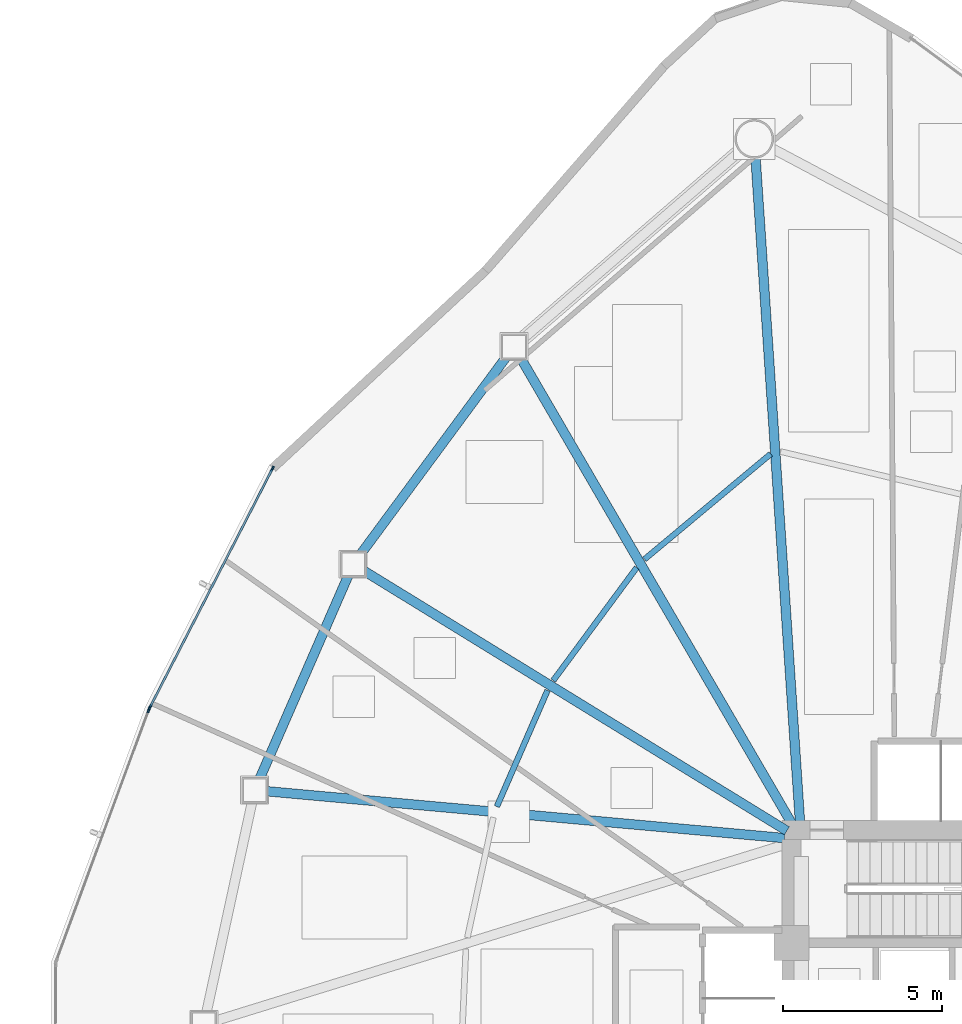
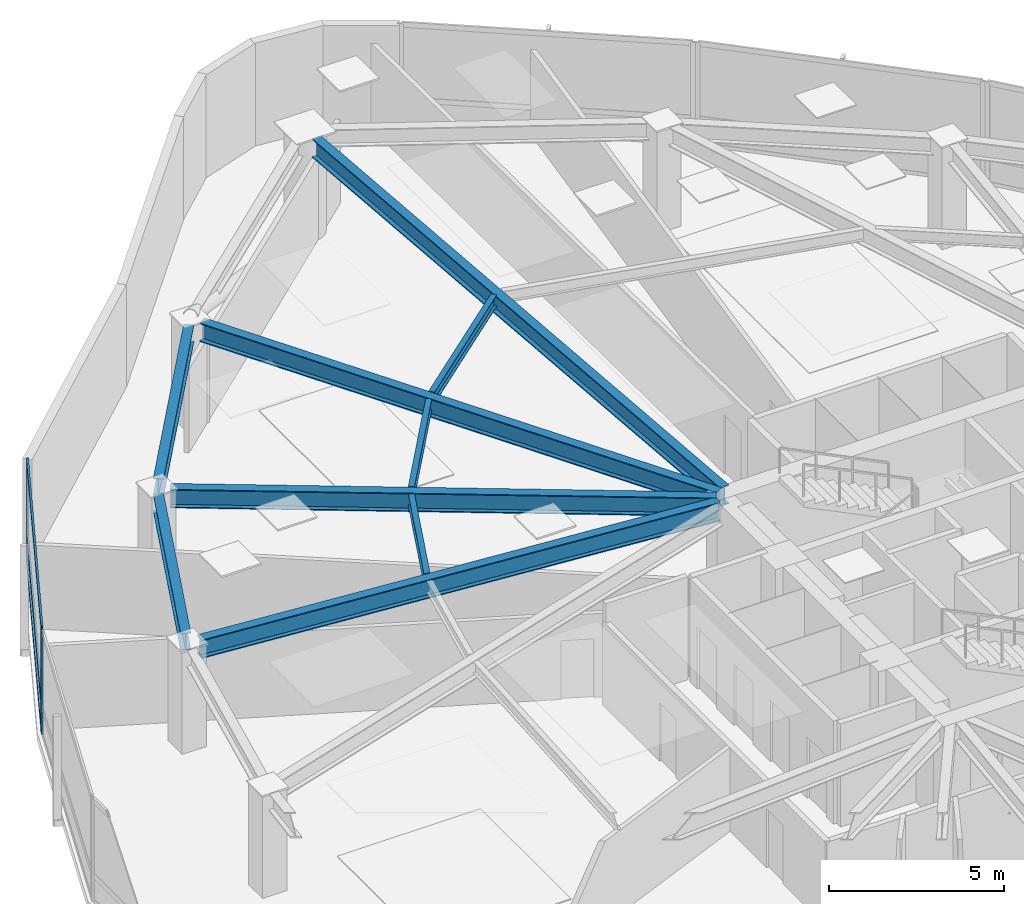
# One storey, part 8 of 18: 9 beams, 6 members, 2 elements without a shape of their own.
"""IFC4 building model written with IfcOpenShell, lengths in metres."""

from ifc_helpers import new_model, si_unit, direction, frame, origin, origin_2d, place, context, subcontext, project, spatial, hollow_rectangle, i_section, extrude, source, transform, mapped, material, layer, layer_set, material_profile, profile_set, type_object, type_shapes, element, aggregate, save


model = new_model("IFC4")

# Units and contexts
model_context = context("Model", 3, precision=1e-05, world=origin(), true_north=direction((0.0, 1.0)))
body_context = subcontext(model_context, "Body", "Model", "MODEL_VIEW")
ifc_project = project(units=[si_unit("LENGTHUNIT", "METRE"), si_unit("AREAUNIT", "SQUARE_METRE"), si_unit("VOLUMEUNIT", "CUBIC_METRE"), si_unit("PLANEANGLEUNIT", "RADIAN"), si_unit("MASSUNIT", "GRAM", prefix="KILO")], contexts=[model_context])

# Site, building, storey
site_placement = place(None, origin())
site = spatial("IfcSite", under=ifc_project, at=site_placement, CompositionType="ELEMENT")
building_placement = place(site_placement, origin())
building = spatial("IfcBuilding", under=site, at=building_placement, Name="Tavelor Broadcast Tower", CompositionType="ELEMENT")
storey_placement = place(building_placement, frame((0.0, 0.0, 51.0)))
storey = spatial("IfcBuildingStorey", under=building, at=storey_placement, Name="L11", CompositionType="ELEMENT", Elevation=51.0)

# Beams
ifc_material_1 = material(Name="Steel S355", Category="steel")
ifc_material_profile_1 = material_profile(ifc_material_1, i_section(OverallWidth=0.179931640625, OverallDepth=0.39990234375, WebThickness=0.008544921875, FlangeThickness=0.013427734375, at=origin_2d()), Name="IPE 400")
ifc_profile_set_1 = profile_set([ifc_material_profile_1], Name="Steel S355")
beam_type_1 = type_object("IfcBeamType", Name="Composite Floor Joist T1 IPE 400", PredefinedType="JOIST", material=ifc_profile_set_1)
beam_1_placement = place(storey_placement, frame((42.4404296875, 63.345947265625, 3.39990234375), z_axis=(-0.767560074089, -0.640977014146, 0.0), x_axis=(0.640977014146, -0.767560074089, 0.0)))
element("IfcBeam", 1, at=beam_1_placement, inside=storey, type_object=beam_type_1, Name="L11 Secondary Composite Floor Joist 01", PredefinedType="JOIST", context=body_context, shape_type="SweptSolid", body=[
    extrude(i_section(OverallWidth=0.179931640625, OverallDepth=0.39990234375, WebThickness=0.008544921875, FlangeThickness=0.013427734375, at=origin_2d()), origin(), (0.0, 0.0, 1.0), 5.178466796875),
])
beam_2_placement = place(storey_placement, frame((38.218994140625, 59.764892578125, 3.39990234375), z_axis=(-0.594310286319, -0.804235838281, 0.0), x_axis=(0.804235838281, -0.594310286319, 0.0)))
element("IfcBeam", 2, at=beam_2_placement, inside=storey, type_object=beam_type_1, Name="L11 Secondary Composite Floor Joist 02", PredefinedType="JOIST", context=body_context, shape_type="SweptSolid", body=[
    extrude(i_section(OverallWidth=0.179931640625, OverallDepth=0.39990234375, WebThickness=0.008544921875, FlangeThickness=0.013427734375, at=origin_2d()), origin(), (0.0, 0.0, 1.0), 4.41943359375),
])
beam_3_placement = place(storey_placement, frame((35.41259765625, 55.899169921875, 3.39990234375), z_axis=(-0.399676346619, -0.916656324886, 0.0), x_axis=(0.916656324886, -0.399676346619, 0.0)))
element("IfcBeam", 3, at=beam_3_placement, inside=storey, type_object=beam_type_1, Name="L11 Secondary Composite Floor Joist 03", PredefinedType="JOIST", context=body_context, shape_type="SweptSolid", body=[
    extrude(i_section(OverallWidth=0.179931640625, OverallDepth=0.39990234375, WebThickness=0.008544921875, FlangeThickness=0.013427734375, at=origin_2d()), origin(), (0.0, 0.0, 1.0), 3.991943359375),
])
ifc_material_profile_2 = material_profile(ifc_material_1, i_section(OverallWidth=0.300048828125, OverallDepth=0.60009765625, WebThickness=0.015380859375, FlangeThickness=0.030029296875, at=origin_2d()), Name="HEB 600")
ifc_profile_set_2 = profile_set([ifc_material_profile_2], Name="Steel S355")
beam_type_2 = type_object("IfcBeamType", Name="Perimeter Spandrel Beam T1 HEB 600", PredefinedType="SPANDREL", material=ifc_profile_set_2)
beam_4_placement = place(storey_placement, frame((34.1279296875, 66.4189453125, 3.300048828125), z_axis=(-0.59410601814, -0.804386747286, 0.0), x_axis=(0.804386747286, -0.59410601814, 0.0)))
element("IfcBeam", 4, at=beam_4_placement, inside=storey, type_object=beam_type_2, Name="L11 Framed-Tube Ring Spandrel 02", PredefinedType="SPANDREL", context=body_context, shape_type="SweptSolid", body=[
    extrude(i_section(OverallWidth=0.300048828125, OverallDepth=0.60009765625, WebThickness=0.015380859375, FlangeThickness=0.030029296875, at=origin_2d()), origin(), (0.0, 0.0, 1.0), 7.755615234375),
])
beam_5_placement = place(storey_placement, frame((29.138671875, 59.51953125, 3.300048828125), z_axis=(-0.399831402863, -0.916588702355, 0.0), x_axis=(0.916588702355, -0.399831402863, 0.0)))
element("IfcBeam", 5, at=beam_5_placement, inside=storey, type_object=beam_type_2, Name="L11 Framed-Tube Ring Spandrel 03", PredefinedType="SPANDREL", context=body_context, shape_type="SweptSolid", body=[
    extrude(i_section(OverallWidth=0.300048828125, OverallDepth=0.60009765625, WebThickness=0.015380859375, FlangeThickness=0.030029296875, at=origin_2d()), origin(), (0.0, 0.0, 1.0), 6.99267578125),
])
ifc_material_profile_3 = material_profile(ifc_material_1, i_section(OverallWidth=0.300048828125, OverallDepth=0.64990234375, WebThickness=0.01611328125, FlangeThickness=0.031005859375, at=origin_2d()), Name="HEB 650")
ifc_profile_set_3 = profile_set([ifc_material_profile_3], Name="Steel S355")
beam_type_3 = type_object("IfcBeamType", Name="Radial Floor Girder T1 HEB 650", PredefinedType="BEAM", material=ifc_profile_set_3)
beam_6_placement = place(storey_placement, frame((43.36474609375, 51.726806640625, 3.27490234375), z_axis=(-0.066781325407, 0.997767635563, 0.0), x_axis=(-0.997767635563, -0.066781325407, 0.0)))
element("IfcBeam", 6, at=beam_6_placement, inside=storey, type_object=beam_type_3, Name="L11 Radial Primary Floor Girder 01", PredefinedType="BEAM", context=body_context, shape_type="SweptSolid", body=[
    extrude(i_section(OverallWidth=0.300048828125, OverallDepth=0.64990234375, WebThickness=0.01611328125, FlangeThickness=0.031005859375, at=origin_2d()), origin(), (0.0, 0.0, 1.0), 21.002685546875),
])
beam_7_placement = place(storey_placement, frame((43.13427734375, 51.65625, 3.27490234375), z_axis=(-0.503292471027, 0.864116131436, 0.0), x_axis=(-0.864116131436, -0.503292471027, 0.0)))
element("IfcBeam", 7, at=beam_7_placement, inside=storey, type_object=beam_type_3, Name="L11 Radial Primary Floor Girder 02", PredefinedType="BEAM", context=body_context, shape_type="SweptSolid", body=[
    extrude(i_section(OverallWidth=0.300048828125, OverallDepth=0.64990234375, WebThickness=0.01611328125, FlangeThickness=0.031005859375, at=origin_2d()), origin(), (0.0, 0.0, 1.0), 17.0576171875),
])
beam_8_placement = place(storey_placement, frame((42.9501953125, 51.4765625, 3.27490234375), z_axis=(-0.851935691671, 0.523646423894, 0.0), x_axis=(-0.523646423894, -0.851935691671, 0.0)))
element("IfcBeam", 8, at=beam_8_placement, inside=storey, type_object=beam_type_3, Name="L11 Radial Primary Floor Girder 03", PredefinedType="BEAM", context=body_context, shape_type="SweptSolid", body=[
    extrude(i_section(OverallWidth=0.300048828125, OverallDepth=0.64990234375, WebThickness=0.01611328125, FlangeThickness=0.031005859375, at=origin_2d()), origin(), (0.0, 0.0, 1.0), 15.647705078125),
])
beam_9_placement = place(storey_placement, frame((42.874267578125, 51.24755859375, 3.27490234375), z_axis=(-0.995926026359, 0.090173998583, 0.0), x_axis=(-0.090173998583, -0.995926026359, 0.0)))
element("IfcBeam", 9, at=beam_9_placement, inside=storey, type_object=beam_type_3, Name="L11 Radial Primary Floor Girder 04", PredefinedType="BEAM", context=body_context, shape_type="SweptSolid", body=[
    extrude(i_section(OverallWidth=0.300048828125, OverallDepth=0.64990234375, WebThickness=0.01611328125, FlangeThickness=0.031005859375, at=origin_2d()), origin(), (0.0, 0.0, 1.0), 16.369140625),
])

# Curtain wall, members
ifc_material_2 = material(Name="Architectural Anodized Aluminium", Category="aluminium")
ifc_layer = layer(ifc_material_2, 0.179931640625)
ifc_layer_set = layer_set([ifc_layer], Name="Architectural Anodized Aluminium")
curtain_wall_type = type_object("IfcCurtainWallType", Name="Tower Low-Zone Unitised Curtain Wall CW02", PredefinedType="NOTDEFINED", material=ifc_layer_set)
curtain_wall_1_placement = place(storey_placement, origin())
curtain_wall_1 = element("IfcCurtainWall", 10, at=curtain_wall_1_placement, inside=storey, type_object=curtain_wall_type, Name="L11 Curtain Wall CW02 Run 85", PredefinedType="NOTDEFINED")
ifc_material_profile_4 = material_profile(ifc_material_2, hollow_rectangle(XDim=0.06494140625, YDim=0.179931640625, WallThickness=0.02197265625, at=origin_2d()), Name="RHS 65x180x22")
ifc_profile_set_4 = profile_set([ifc_material_profile_4], Name="Architectural Anodized Aluminium")
member_type_1 = type_object("IfcMemberType", Name="CW02 Extruded Aluminium Mullion 65x180", PredefinedType="MULLION", material=ifc_profile_set_4)
shared_shape_1 = source(origin(), body_context, "Body", "SweptSolid", [
    extrude(hollow_rectangle(XDim=0.06494140625, YDim=0.179931640625, WallThickness=0.02197265625, at=origin_2d()), origin(), (0.0, 0.0, 1.0), 3.60009765625),
])
type_shapes(member_type_1, [shared_shape_1])
member_1_placement = place(storey_placement, frame((26.7470703125, 62.876220703125, 0.0), z_axis=(0.0, 0.0, 1.0), x_axis=(0.889612999497, -0.456715131265, 0.0)))
member_1 = element("IfcMember", 11, at=member_1_placement, type_object=member_type_1, Name="CW02 mullion 1", PredefinedType="MULLION", context=body_context, shape_type="MappedRepresentation", body=[
    mapped(shared_shape_1, transform((0.0, 0.0, 0.0), scale=1.0)),
])
member_2_placement = place(storey_placement, frame((22.893798828125, 55.370361328125, 0.0), z_axis=(0.0, 0.0, 1.0), x_axis=(0.889612999497, -0.456715131265, 0.0)))
member_2 = element("IfcMember", 12, at=member_2_placement, type_object=member_type_1, Name="CW02 mullion 2", PredefinedType="MULLION", context=body_context, shape_type="MappedRepresentation", body=[
    mapped(shared_shape_1, transform((0.0, 0.0, 0.0), scale=1.0)),
])

# Curtain wall, member
curtain_wall_2_placement = place(storey_placement, origin())
curtain_wall_2 = element("IfcCurtainWall", 13, at=curtain_wall_2_placement, inside=storey, type_object=curtain_wall_type, Name="L11 Curtain Wall CW02 Run 86", PredefinedType="NOTDEFINED")
member_3_placement = place(storey_placement, frame((22.85546875, 55.283447265625, 0.0), z_axis=(0.0, 0.0, 1.0), x_axis=(0.938345731928, -0.345698260586, 0.0)))
member_3 = element("IfcMember", 14, at=member_3_placement, type_object=member_type_1, Name="CW02 mullion 1", PredefinedType="MULLION", context=body_context, shape_type="MappedRepresentation", body=[
    mapped(shared_shape_1, transform((0.0, 0.0, 0.0), scale=1.0)),
])
aggregate(curtain_wall_2, [member_3])

# Member
ifc_material_profile_5 = material_profile(ifc_material_2, hollow_rectangle(XDim=0.06494140625, YDim=0.179931640625, WallThickness=0.02197265625, at=origin_2d()), Name="RHS 65x180x22")
ifc_profile_set_5 = profile_set([ifc_material_profile_5], Name="Architectural Anodized Aluminium")
member_type_2 = type_object("IfcMemberType", Name="CW02 Extruded Aluminium Transom 65x180", PredefinedType="USERDEFINED", material=ifc_profile_set_5)
shared_shape_2 = source(origin(), body_context, "Body", "SweptSolid", [
    extrude(hollow_rectangle(XDim=0.06494140625, YDim=0.179931640625, WallThickness=0.02197265625, at=origin_2d()), origin(), (0.0, 0.0, 1.0), 8.3720703125),
])
type_shapes(member_type_2, [shared_shape_2])
member_4_placement = place(storey_placement, frame((26.732421875, 62.84716796875, 0.032470703125), z_axis=(-0.45671799236, -0.889611530644, 0.0), x_axis=(0.889611530644, -0.45671799236, 0.0)))
member_4 = element("IfcMember", 15, at=member_4_placement, type_object=member_type_2, Name="CW02 transom 1.1", ObjectType="TRANSOM", PredefinedType="USERDEFINED", context=body_context, shape_type="MappedRepresentation", body=[
    mapped(shared_shape_2, transform((0.0, 0.0, 0.0), scale=1.0)),
])

member_5_placement = place(storey_placement, frame((26.732421875, 62.84716796875, 0.949951171875), z_axis=(-0.45671799236, -0.889611530644, 0.0), x_axis=(0.889611530644, -0.45671799236, 0.0)))
member_5 = element("IfcMember", 16, at=member_5_placement, type_object=member_type_2, Name="CW02 transom 1.2", ObjectType="TRANSOM", PredefinedType="USERDEFINED", context=body_context, shape_type="MappedRepresentation", body=[
    mapped(shared_shape_2, transform((0.0, 0.0, 0.0), scale=1.0)),
])

member_6_placement = place(storey_placement, frame((26.732421875, 62.84716796875, 3.5673828125), z_axis=(-0.45671799236, -0.889611530644, 0.0), x_axis=(0.889611530644, -0.45671799236, 0.0)))
member_6 = element("IfcMember", 17, at=member_6_placement, type_object=member_type_2, Name="CW02 transom 1.3", ObjectType="TRANSOM", PredefinedType="USERDEFINED", context=body_context, shape_type="MappedRepresentation", body=[
    mapped(shared_shape_2, transform((0.0, 0.0, 0.0), scale=1.0)),
])

aggregate(curtain_wall_1, [member_1, member_2, member_4, member_5, member_6])

save(model, "model.ifc")
